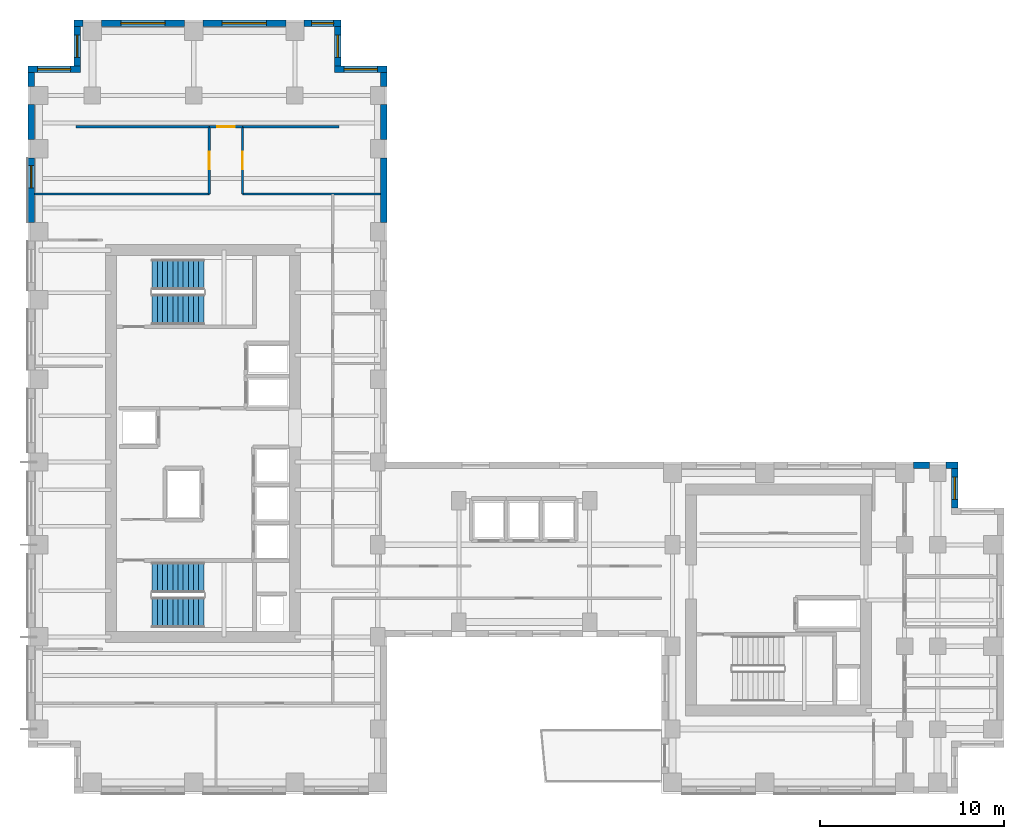
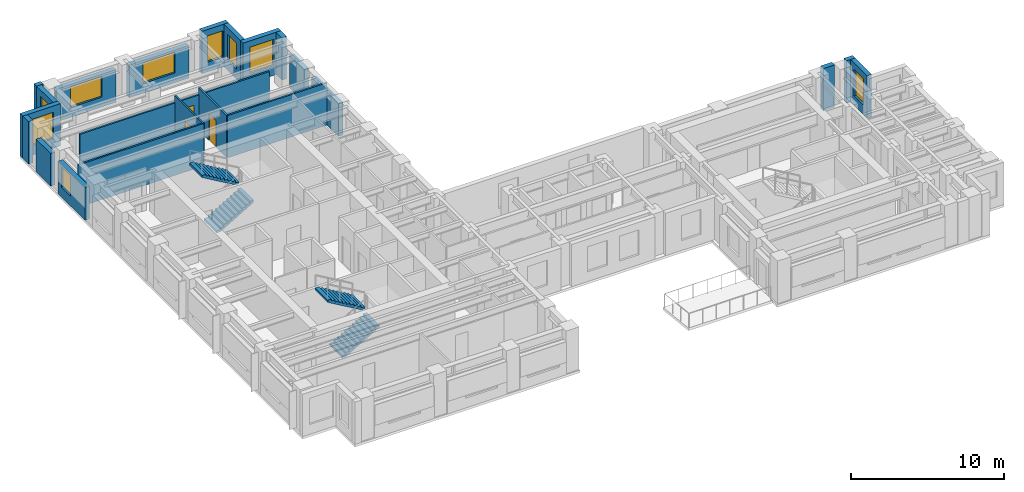
# One storey, part 8 of 12: 24 walls, 9 windows, 4 stair flights, 3 doors, 12 openings, 2 elements without a shape of their own.
"""IFC4 building model written with IfcOpenShell, lengths in metres."""

from ifc_helpers import new_model, si_unit, direction, frame, frame_2d, origin, place, context, subcontext, project, spatial, polyline, rectangle, outline, extrude, source, transform, mapped, material, layer, layer_set, type_object, element, fill, aggregate, save


model = new_model("IFC4")

# Units and contexts
model_context = context("Model", 3, precision=1e-05, world=origin(), true_north=direction((0.0, 1.0)))
body_context = subcontext(model_context, "Body", "Model", "MODEL_VIEW")
ifc_project = project(units=[si_unit("LENGTHUNIT", "METRE"), si_unit("AREAUNIT", "SQUARE_METRE"), si_unit("VOLUMEUNIT", "CUBIC_METRE"), si_unit("PLANEANGLEUNIT", "RADIAN"), si_unit("MASSUNIT", "GRAM", prefix="KILO")], contexts=[model_context])

# Site, building, storey
site_placement = place(None, origin())
site = spatial("IfcSite", under=ifc_project, at=site_placement, CompositionType="ELEMENT")
building_placement = place(site_placement, origin())
building = spatial("IfcBuilding", under=site, at=building_placement, Name="Kharzan Plaza Tower", CompositionType="ELEMENT")
storey_placement = place(building_placement, frame((0.0, 0.0, 179.10009765625)))
storey = spatial("IfcBuildingStorey", under=building, at=storey_placement, Name="L48", CompositionType="ELEMENT", Elevation=179.10009765625)

# Wall, opening, window
ifc_material_1 = material(Name="Concrete C40/50", Category="concrete")
ifc_layer_1 = layer(ifc_material_1, 0.35009765625)
ifc_layer_set_1 = layer_set([ifc_layer_1], Name="Concrete C40/50")
wall_type_1 = type_object("IfcWallType", Name="WL-EXT-MAS-Z3", PredefinedType="SOLIDWALL", material=ifc_layer_set_1)
wall_1_placement = place(storey_placement, frame((19.5, 39.324951171875, 0.0), z_axis=(0.0, 0.0, 1.0), x_axis=(-1.0, 0.0, 0.0)))
wall_1 = element("IfcWall", 1, at=wall_1_placement, inside=storey, type_object=wall_type_1, Name="L48 Masonry-Frame Exterior Wall 01", PredefinedType="SOLIDWALL", context=body_context, shape_type="SweptSolid", body=[
    extrude(rectangle(XDim=2.85009765625, YDim=0.35009765625, at=frame_2d((1.425048828125, 0.0))), origin(), (0.0, 0.0, 1.0), 3.385009765625),
])
opening_1_placement = place(wall_1_placement, frame((0.52490234375, 0.0, 0.780029296875)))
opening_1 = element("IfcOpeningElement", 2, at=opening_1_placement, cuts=wall_1, Name="Opening W1", PredefinedType="OPENING", context=body_context, shape_type="SweptSolid", body=[
    extrude(rectangle(XDim=1.800048828125, YDim=2.10009765625, at=frame_2d((0.89990234375, 1.050048828125))), frame((0.0, 0.18505859375, 0.0), z_axis=(0.0, -1.0, 0.0), x_axis=(1.0, 0.0, 0.0)), (0.0, 0.0, 1.0), 0.3701171875),
])
ifc_material_2 = material(Name="Low-E Double Glazing", Category="glass")
window_type_1 = type_object("IfcWindowType", Name="WN-REC-1800x2100", PartitioningType="SINGLE_PANEL", PredefinedType="WINDOW", material=ifc_material_2)
shared_shape_1 = source(origin(), body_context, "Body", "SweptSolid", [
    extrude(rectangle(XDim=1.800048828125, YDim=2.10009765625, at=frame_2d((0.89990234375, 1.050048828125))), frame((0.0, 0.030029296875, 0.0), z_axis=(0.0, -1.0, 0.0), x_axis=(1.0, 0.0, 0.0)), (0.0, 0.0, 1.0), 0.06005859375),
])
window_1_placement = place(opening_1_placement, origin())
window_1 = element("IfcWindow", 3, at=window_1_placement, inside=storey, type_object=window_type_1, Name="L48 Recessed Solar-Control Window 01-1", OverallHeight=2.10009765625, OverallWidth=1.800048828125, PartitioningType="SINGLE_PANEL", PredefinedType="WINDOW", context=body_context, shape_type="MappedRepresentation", body=[
    mapped(shared_shape_1, transform((0.0, 0.0, 0.0), x_axis=(1.0, 0.0, 0.0), y_axis=(0.0, 1.0, 0.0), z_axis=(0.0, 0.0, 1.0))),
])
fill(opening_1, window_1)

wall_2_placement = place(storey_placement, frame((16.824951171875, 39.498046875, 0.0), z_axis=(0.0, 0.0, 1.0), x_axis=(0.0, 1.0, 0.0)))
wall_2 = element("IfcWall", 4, at=wall_2_placement, inside=storey, type_object=wall_type_1, Name="L48 Masonry-Frame Exterior Wall 02", PredefinedType="SOLIDWALL", context=body_context, shape_type="SweptSolid", body=[
    extrude(rectangle(XDim=2.154052734375, YDim=0.35009765625, at=frame_2d((1.0771484375, 0.0))), origin(), (0.0, 0.0, 1.0), 3.385009765625),
])
opening_2_placement = place(wall_2_placement, frame((0.47705078125, 0.0, 0.780029296875)))
opening_2 = element("IfcOpeningElement", 5, at=opening_2_placement, cuts=wall_2, Name="Opening W3", PredefinedType="OPENING", context=body_context, shape_type="SweptSolid", body=[
    extrude(rectangle(XDim=1.199951171875, YDim=2.10009765625, at=frame_2d((0.60009765625, 1.050048828125))), frame((0.0, 0.18505859375, 0.0), z_axis=(0.0, -1.0, 0.0), x_axis=(1.0, 0.0, 0.0)), (0.0, 0.0, 1.0), 0.3701171875),
])
window_type_2 = type_object("IfcWindowType", Name="WN-REC-1200x2100", PartitioningType="SINGLE_PANEL", PredefinedType="WINDOW", material=ifc_material_2)
shared_shape_2 = source(origin(), body_context, "Body", "SweptSolid", [
    extrude(rectangle(XDim=1.199951171875, YDim=2.10009765625, at=frame_2d((0.60009765625, 1.050048828125))), frame((0.0, 0.030029296875, 0.0), z_axis=(0.0, -1.0, 0.0), x_axis=(1.0, 0.0, 0.0)), (0.0, 0.0, 1.0), 0.06005859375),
])
window_2_placement = place(opening_2_placement, origin())
window_2 = element("IfcWindow", 6, at=window_2_placement, inside=storey, type_object=window_type_2, Name="L48 Recessed Solar-Control Window 02-1", OverallHeight=2.10009765625, OverallWidth=1.199951171875, PartitioningType="SINGLE_PANEL", PredefinedType="WINDOW", context=body_context, shape_type="MappedRepresentation", body=[
    mapped(shared_shape_2, transform((0.0, 0.0, 0.0), x_axis=(1.0, 0.0, 0.0), y_axis=(0.0, 1.0, 0.0), z_axis=(0.0, 0.0, 1.0))),
])
fill(opening_2, window_2)

wall_3_placement = place(storey_placement, frame((17.0, 41.824951171875, 0.0), z_axis=(0.0, 0.0, 1.0), x_axis=(-1.0, 0.0, 0.0)))
wall_3 = element("IfcWall", 7, at=wall_3_placement, inside=storey, type_object=wall_type_1, Name="L48 Masonry-Frame Exterior Wall 03", PredefinedType="SOLIDWALL", context=body_context, shape_type="SweptSolid", body=[
    extrude(rectangle(XDim=2.001953125, YDim=0.35009765625, at=frame_2d((1.0009765625, 0.0))), origin(), (0.0, 0.0, 1.0), 3.385009765625),
])
opening_3_placement = place(wall_3_placement, frame((0.40087890625, 0.0, 0.780029296875)))
opening_3 = element("IfcOpeningElement", 8, at=opening_3_placement, cuts=wall_3, Name="Opening W3", PredefinedType="OPENING", context=body_context, shape_type="SweptSolid", body=[
    extrude(rectangle(XDim=1.199951171875, YDim=2.10009765625, at=frame_2d((0.60009765625, 1.050048828125))), frame((0.0, 0.18505859375, 0.0), z_axis=(0.0, -1.0, 0.0), x_axis=(1.0, 0.0, 0.0)), (0.0, 0.0, 1.0), 0.3701171875),
])
window_3_placement = place(opening_3_placement, origin())
window_3 = element("IfcWindow", 9, at=window_3_placement, inside=storey, type_object=window_type_2, Name="L48 Recessed Solar-Control Window 03-1", OverallHeight=2.10009765625, OverallWidth=1.199951171875, PartitioningType="SINGLE_PANEL", PredefinedType="WINDOW", context=body_context, shape_type="MappedRepresentation", body=[
    mapped(shared_shape_2, transform((0.0, 0.0, 0.0), x_axis=(1.0, 0.0, 0.0), y_axis=(0.0, 1.0, 0.0), z_axis=(0.0, 0.0, 1.0))),
])
fill(opening_3, window_3)

wall_4_placement = place(storey_placement, frame((14.001953125, 41.824951171875, 0.0), z_axis=(0.0, 0.0, 1.0), x_axis=(-1.0, 0.0, 0.0)))
wall_4 = element("IfcWall", 10, at=wall_4_placement, inside=storey, type_object=wall_type_1, Name="L48 Masonry-Frame Exterior Wall 04", PredefinedType="SOLIDWALL", context=body_context, shape_type="SweptSolid", body=[
    extrude(rectangle(XDim=4.50390625, YDim=0.35009765625, at=frame_2d((2.251953125, 0.0))), origin(), (0.0, 0.0, 1.0), 2.61181640625),
])
opening_4_placement = place(wall_4_placement, frame((1.052001953125, 0.0, 0.780029296875)))
opening_4 = element("IfcOpeningElement", 11, at=opening_4_placement, cuts=wall_4, Name="Opening W2", PredefinedType="OPENING", context=body_context, shape_type="SweptSolid", body=[
    extrude(rectangle(XDim=2.39990234375, YDim=1.652099609375, at=frame_2d((1.199951171875, 0.826171875))), frame((0.0, 0.18505859375, 0.0), z_axis=(0.0, -1.0, 0.0), x_axis=(1.0, 0.0, 0.0)), (0.0, 0.0, 1.0), 0.3701171875),
])
window_type_3 = type_object("IfcWindowType", Name="WN-REC-2400x2100", PartitioningType="SINGLE_PANEL", PredefinedType="WINDOW", material=ifc_material_2)
shared_shape_3 = source(origin(), body_context, "Body", "SweptSolid", [
    extrude(rectangle(XDim=2.39990234375, YDim=1.652099609375, at=frame_2d((1.199951171875, 0.826171875))), frame((0.0, 0.030029296875, 0.0), z_axis=(0.0, -1.0, 0.0), x_axis=(1.0, 0.0, 0.0)), (0.0, 0.0, 1.0), 0.06005859375),
])
window_4_placement = place(opening_4_placement, origin())
window_4 = element("IfcWindow", 12, at=window_4_placement, inside=storey, type_object=window_type_3, Name="L48 Wide Recessed Solar-Control Window 04-1", OverallHeight=1.652099609375, OverallWidth=2.39990234375, PartitioningType="SINGLE_PANEL", PredefinedType="WINDOW", context=body_context, shape_type="MappedRepresentation", body=[
    mapped(shared_shape_3, transform((0.0, 0.0, 0.0), x_axis=(1.0, 0.0, 0.0), y_axis=(0.0, 1.0, 0.0), z_axis=(0.0, 0.0, 1.0))),
])
fill(opening_4, window_4)

wall_5_placement = place(storey_placement, frame((8.501953125, 41.824951171875, 0.0), z_axis=(0.0, 0.0, 1.0), x_axis=(-1.0, 0.0, 0.0)))
wall_5 = element("IfcWall", 13, at=wall_5_placement, inside=storey, type_object=wall_type_1, Name="L48 Masonry-Frame Exterior Wall 05", PredefinedType="SOLIDWALL", context=body_context, shape_type="SweptSolid", body=[
    extrude(rectangle(XDim=4.50390625, YDim=0.35009765625, at=frame_2d((2.251953125, 0.0))), origin(), (0.0, 0.0, 1.0), 2.61181640625),
])
opening_5_placement = place(wall_5_placement, frame((1.052001953125, 0.0, 0.780029296875)))
opening_5 = element("IfcOpeningElement", 14, at=opening_5_placement, cuts=wall_5, Name="Opening W2", PredefinedType="OPENING", context=body_context, shape_type="SweptSolid", body=[
    extrude(rectangle(XDim=2.39990234375, YDim=1.652099609375, at=frame_2d((1.199951171875, 0.826171875))), frame((0.0, 0.18505859375, 0.0), z_axis=(0.0, -1.0, 0.0), x_axis=(1.0, 0.0, 0.0)), (0.0, 0.0, 1.0), 0.3701171875),
])
window_5_placement = place(opening_5_placement, origin())
window_5 = element("IfcWindow", 15, at=window_5_placement, inside=storey, type_object=window_type_3, Name="L48 Wide Recessed Solar-Control Window 05-1", OverallHeight=1.652099609375, OverallWidth=2.39990234375, PartitioningType="SINGLE_PANEL", PredefinedType="WINDOW", context=body_context, shape_type="MappedRepresentation", body=[
    mapped(shared_shape_3, transform((0.0, 0.0, 0.0), x_axis=(1.0, 0.0, 0.0), y_axis=(0.0, 1.0, 0.0), z_axis=(0.0, 0.0, 1.0))),
])
fill(opening_5, window_5)

wall_6_placement = place(storey_placement, frame((2.675048828125, 41.652099609375, 0.0), z_axis=(0.0, 0.0, 1.0), x_axis=(0.0, -1.0, 0.0)))
wall_6 = element("IfcWall", 16, at=wall_6_placement, inside=storey, type_object=wall_type_1, Name="L48 Masonry-Frame Exterior Wall 07", PredefinedType="SOLIDWALL", context=body_context, shape_type="SweptSolid", body=[
    extrude(rectangle(XDim=2.154052734375, YDim=0.35009765625, at=frame_2d((1.0771484375, 0.0))), origin(), (0.0, 0.0, 1.0), 3.385009765625),
])
opening_6_placement = place(wall_6_placement, frame((0.47705078125, 0.0, 0.780029296875)))
opening_6 = element("IfcOpeningElement", 17, at=opening_6_placement, cuts=wall_6, Name="Opening W3", PredefinedType="OPENING", context=body_context, shape_type="SweptSolid", body=[
    extrude(rectangle(XDim=1.199951171875, YDim=2.10009765625, at=frame_2d((0.60009765625, 1.050048828125))), frame((0.0, 0.18505859375, 0.0), z_axis=(0.0, -1.0, 0.0), x_axis=(1.0, 0.0, 0.0)), (0.0, 0.0, 1.0), 0.3701171875),
])
window_6_placement = place(opening_6_placement, origin())
window_6 = element("IfcWindow", 18, at=window_6_placement, inside=storey, type_object=window_type_2, Name="L48 Recessed Solar-Control Window 07-1", OverallHeight=2.10009765625, OverallWidth=1.199951171875, PartitioningType="SINGLE_PANEL", PredefinedType="WINDOW", context=body_context, shape_type="MappedRepresentation", body=[
    mapped(shared_shape_2, transform((0.0, 0.0, 0.0), x_axis=(1.0, 0.0, 0.0), y_axis=(0.0, 1.0, 0.0), z_axis=(0.0, 0.0, 1.0))),
])
fill(opening_6, window_6)

wall_7_placement = place(storey_placement, frame((2.85009765625, 39.324951171875, 0.0), z_axis=(0.0, 0.0, 1.0), x_axis=(-1.0, 0.0, 0.0)))
wall_7 = element("IfcWall", 19, at=wall_7_placement, inside=storey, type_object=wall_type_1, Name="L48 Masonry-Frame Exterior Wall 08", PredefinedType="SOLIDWALL", context=body_context, shape_type="SweptSolid", body=[
    extrude(rectangle(XDim=2.85009765625, YDim=0.35009765625, at=frame_2d((1.425048828125, 0.0))), origin(), (0.0, 0.0, 1.0), 3.385009765625),
])
opening_7_placement = place(wall_7_placement, frame((0.52490234375, 0.0, 0.780029296875)))
opening_7 = element("IfcOpeningElement", 20, at=opening_7_placement, cuts=wall_7, Name="Opening W1", PredefinedType="OPENING", context=body_context, shape_type="SweptSolid", body=[
    extrude(rectangle(XDim=1.800048828125, YDim=2.10009765625, at=frame_2d((0.89990234375, 1.050048828125))), frame((0.0, 0.18505859375, 0.0), z_axis=(0.0, -1.0, 0.0), x_axis=(1.0, 0.0, 0.0)), (0.0, 0.0, 1.0), 0.3701171875),
])
window_7_placement = place(opening_7_placement, origin())
window_7 = element("IfcWindow", 21, at=window_7_placement, inside=storey, type_object=window_type_1, Name="L48 Recessed Solar-Control Window 08-1", OverallHeight=2.10009765625, OverallWidth=1.800048828125, PartitioningType="SINGLE_PANEL", PredefinedType="WINDOW", context=body_context, shape_type="MappedRepresentation", body=[
    mapped(shared_shape_1, transform((0.0, 0.0, 0.0), x_axis=(1.0, 0.0, 0.0), y_axis=(0.0, 1.0, 0.0), z_axis=(0.0, 0.0, 1.0))),
])
fill(opening_7, window_7)

wall_8_placement = place(storey_placement, frame((0.175048828125, 34.501953125, 0.0), z_axis=(0.0, 0.0, 1.0), x_axis=(0.0, -1.0, 0.0)))
wall_8 = element("IfcWall", 22, at=wall_8_placement, inside=storey, type_object=wall_type_1, Name="L48 Masonry-Frame Exterior Wall 11", PredefinedType="SOLIDWALL", context=body_context, shape_type="SweptSolid", body=[
    extrude(rectangle(XDim=3.50390625, YDim=0.35009765625, at=frame_2d((1.751953125, 0.0))), origin(), (0.0, 0.0, 1.0), 2.61181640625),
])
opening_8_placement = place(wall_8_placement, frame((0.410888671875, 0.0, 0.780029296875)))
opening_8 = element("IfcOpeningElement", 23, at=opening_8_placement, cuts=wall_8, Name="Opening W3", PredefinedType="OPENING", context=body_context, shape_type="SweptSolid", body=[
    extrude(rectangle(XDim=1.199951171875, YDim=1.652099609375, at=frame_2d((0.60009765625, 0.826171875))), frame((0.0, 0.18505859375, 0.0), z_axis=(0.0, -1.0, 0.0), x_axis=(1.0, 0.0, 0.0)), (0.0, 0.0, 1.0), 0.3701171875),
])
shared_shape_4 = source(origin(), body_context, "Body", "SweptSolid", [
    extrude(rectangle(XDim=1.199951171875, YDim=1.652099609375, at=frame_2d((0.60009765625, 0.826171875))), frame((0.0, 0.030029296875, 0.0), z_axis=(0.0, -1.0, 0.0), x_axis=(1.0, 0.0, 0.0)), (0.0, 0.0, 1.0), 0.06005859375),
])
window_8_placement = place(opening_8_placement, origin())
window_8 = element("IfcWindow", 24, at=window_8_placement, inside=storey, type_object=window_type_2, Name="L48 Recessed Solar-Control Window 11-1", OverallHeight=1.652099609375, OverallWidth=1.199951171875, PartitioningType="SINGLE_PANEL", PredefinedType="WINDOW", context=body_context, shape_type="MappedRepresentation", body=[
    mapped(shared_shape_4, transform((0.0, 0.0, 0.0), x_axis=(1.0, 0.0, 0.0), y_axis=(0.0, 1.0, 0.0), z_axis=(0.0, 0.0, 1.0))),
])
fill(opening_8, window_8)

wall_9_placement = place(storey_placement, frame((50.324951171875, 15.498046875, 0.0), z_axis=(0.0, 0.0, 1.0), x_axis=(0.0, 1.0, 0.0)))
wall_9 = element("IfcWall", 25, at=wall_9_placement, inside=storey, type_object=wall_type_1, Name="L48 Masonry-Frame Exterior Wall 41", PredefinedType="SOLIDWALL", context=body_context, shape_type="SweptSolid", body=[
    extrude(rectangle(XDim=2.154052734375, YDim=0.35009765625, at=frame_2d((1.0771484375, 0.0))), origin(), (0.0, 0.0, 1.0), 3.385009765625),
])
opening_9_placement = place(wall_9_placement, frame((0.47705078125, 0.0, 0.780029296875)))
opening_9 = element("IfcOpeningElement", 26, at=opening_9_placement, cuts=wall_9, Name="Opening W3", PredefinedType="OPENING", context=body_context, shape_type="SweptSolid", body=[
    extrude(rectangle(XDim=1.199951171875, YDim=2.10009765625, at=frame_2d((0.60009765625, 1.050048828125))), frame((0.0, 0.18505859375, 0.0), z_axis=(0.0, -1.0, 0.0), x_axis=(1.0, 0.0, 0.0)), (0.0, 0.0, 1.0), 0.3701171875),
])
window_9_placement = place(opening_9_placement, origin())
window_9 = element("IfcWindow", 27, at=window_9_placement, inside=storey, type_object=window_type_2, Name="L48 Recessed Solar-Control Window 41-1", OverallHeight=2.10009765625, OverallWidth=1.199951171875, PartitioningType="SINGLE_PANEL", PredefinedType="WINDOW", context=body_context, shape_type="MappedRepresentation", body=[
    mapped(shared_shape_2, transform((0.0, 0.0, 0.0), x_axis=(1.0, 0.0, 0.0), y_axis=(0.0, 1.0, 0.0), z_axis=(0.0, 0.0, 1.0))),
])
fill(opening_9, window_9)

# Wall, opening, door
ifc_material_3 = material(Name="Fire-Rated Gypsum Board Partition", Category="gypsum")
ifc_layer_2 = layer(ifc_material_3, 0.125)
ifc_layer_set_2 = layer_set([ifc_layer_2], Name="Fire-Rated Gypsum Board Partition")
wall_type_2 = type_object("IfcWallType", Name="WL-INT-PART-125", PredefinedType="PARTITIONING", material=ifc_layer_set_2)
wall_10_placement = place(storey_placement, frame((11.64990234375, 32.550048828125, 0.0), z_axis=(0.0, 0.0, 1.0), x_axis=(0.0, 1.0, 0.0)))
wall_10 = element("IfcWall", 28, at=wall_10_placement, inside=storey, type_object=wall_type_2, Name="L48 Interior Partition SH-SPE-1", PredefinedType="PARTITIONING", context=body_context, shape_type="SweptSolid", body=[
    extrude(rectangle(XDim=3.64990234375, YDim=0.125, at=frame_2d((1.824951171875, 0.0))), origin(), (0.0, 0.0, 1.0), 3.385009765625),
])
opening_10_placement = place(wall_10_placement, frame((1.35009765625, 0.0, 0.0)))
opening_10 = element("IfcOpeningElement", 29, at=opening_10_placement, cuts=wall_10, Name="Opening OD1", PredefinedType="OPENING", context=body_context, shape_type="SweptSolid", body=[
    extrude(rectangle(XDim=0.949951171875, YDim=2.14990234375, at=frame_2d((0.47509765625, 1.074951171875))), frame((0.0, 0.072509765625, 0.0), z_axis=(0.0, -1.0, 0.0), x_axis=(1.0, 0.0, 0.0)), (0.0, 0.0, 1.0), 0.14501953125),
])
ifc_material_4 = material(Name="Acoustic Solid-Core Stained Oak", Category="timber")
door_type = type_object("IfcDoorType", Name="DR-OFF-SINGLE", OperationType="NOTDEFINED", PredefinedType="DOOR", material=ifc_material_4)
shared_shape_5 = source(origin(), body_context, "Body", "SweptSolid", [
    extrude(rectangle(XDim=0.949951171875, YDim=2.14990234375, at=frame_2d((0.47509765625, 1.074951171875))), frame((0.0, 0.02490234375, 0.0), z_axis=(0.0, -1.0, 0.0), x_axis=(1.0, 0.0, 0.0)), (0.0, 0.0, 1.0), 0.050048828125),
])
door_1_placement = place(opening_10_placement, origin())
door_1 = element("IfcDoor", 30, at=door_1_placement, inside=storey, type_object=door_type, Name="L48 Strategy Briefing Room Door", OperationType="SINGLE_SWING_LEFT", OverallHeight=2.14990234375, OverallWidth=0.949951171875, PredefinedType="DOOR", context=body_context, shape_type="MappedRepresentation", body=[
    mapped(shared_shape_5, transform((0.0, 0.0, 0.0), x_axis=(1.0, 0.0, 0.0), y_axis=(0.0, 1.0, 0.0), z_axis=(0.0, 0.0, 1.0))),
])
fill(opening_10, door_1)

wall_11_placement = place(storey_placement, frame((9.85009765625, 36.199951171875, 0.0), z_axis=(0.0, 0.0, 1.0), x_axis=(1.0, 0.0, 0.0)))
wall_11 = element("IfcWall", 31, at=wall_11_placement, inside=storey, type_object=wall_type_2, Name="L48 Interior Partition SH-SPHD", PredefinedType="PARTITIONING", context=body_context, shape_type="SweptSolid", body=[
    extrude(rectangle(XDim=1.7998046875, YDim=0.125, at=frame_2d((0.89990234375, 0.0))), origin(), (0.0, 0.0, 1.0), 2.847900390625),
])
opening_11_placement = place(wall_11_placement, frame((0.425048828125, 0.0, 0.0)))
opening_11 = element("IfcOpeningElement", 32, at=opening_11_placement, cuts=wall_11, Name="Opening OD1", PredefinedType="OPENING", context=body_context, shape_type="SweptSolid", body=[
    extrude(rectangle(XDim=0.949951171875, YDim=2.14990234375, at=frame_2d((0.47509765625, 1.074951171875))), frame((0.0, 0.072509765625, 0.0), z_axis=(0.0, -1.0, 0.0), x_axis=(1.0, 0.0, 0.0)), (0.0, 0.0, 1.0), 0.14501953125),
])
door_2_placement = place(opening_11_placement, origin())
door_2 = element("IfcDoor", 33, at=door_2_placement, inside=storey, type_object=door_type, Name="L48 North Boardroom Door", OperationType="SINGLE_SWING_RIGHT", OverallHeight=2.14990234375, OverallWidth=0.949951171875, PredefinedType="DOOR", context=body_context, shape_type="MappedRepresentation", body=[
    mapped(shared_shape_5, transform((0.0, 0.0, 0.0), x_axis=(1.0, 0.0, 0.0), y_axis=(0.0, 1.0, 0.0), z_axis=(0.0, 0.0, 1.0))),
])
fill(opening_11, door_2)

wall_12_placement = place(storey_placement, frame((9.85009765625, 32.550048828125, 0.0), z_axis=(0.0, 0.0, 1.0), x_axis=(0.0, 1.0, 0.0)))
wall_12 = element("IfcWall", 34, at=wall_12_placement, inside=storey, type_object=wall_type_2, Name="L48 Interior Partition SH-SPW-1", PredefinedType="PARTITIONING", context=body_context, shape_type="SweptSolid", body=[
    extrude(rectangle(XDim=3.64990234375, YDim=0.125, at=frame_2d((1.824951171875, 0.0))), origin(), (0.0, 0.0, 1.0), 3.385009765625),
])
opening_12_placement = place(wall_12_placement, frame((1.35009765625, 0.0, 0.0)))
opening_12 = element("IfcOpeningElement", 35, at=opening_12_placement, cuts=wall_12, Name="Opening OD1", PredefinedType="OPENING", context=body_context, shape_type="SweptSolid", body=[
    extrude(rectangle(XDim=0.949951171875, YDim=2.14990234375, at=frame_2d((0.47509765625, 1.074951171875))), frame((0.0, 0.072509765625, 0.0), z_axis=(0.0, -1.0, 0.0), x_axis=(1.0, 0.0, 0.0)), (0.0, 0.0, 1.0), 0.14501953125),
])
door_3_placement = place(opening_12_placement, origin())
door_3 = element("IfcDoor", 36, at=door_3_placement, inside=storey, type_object=door_type, Name="L48 Corporate Secretariat Office Door", OperationType="SINGLE_SWING_RIGHT", OverallHeight=2.14990234375, OverallWidth=0.949951171875, PredefinedType="DOOR", context=body_context, shape_type="MappedRepresentation", body=[
    mapped(shared_shape_5, transform((0.0, 0.0, 0.0), x_axis=(1.0, 0.0, 0.0), y_axis=(0.0, 1.0, 0.0), z_axis=(0.0, 0.0, 1.0))),
])
fill(opening_12, door_3)

# Walls
shared_shape_6 = source(origin(), body_context, "Body", "SweptSolid", [
    extrude(rectangle(XDim=0.501953125, YDim=0.35009765625, at=frame_2d((0.2509765625, 0.0))), origin(), (0.0, 0.0, 1.0), 3.385009765625),
])
wall_13_placement = place(storey_placement, frame((3.001953125, 41.824951171875, 0.0), z_axis=(0.0, 0.0, 1.0), x_axis=(-1.0, 0.0, 0.0)))
element("IfcWall", 37, at=wall_13_placement, inside=storey, type_object=wall_type_1, Name="L48 Masonry-Frame Exterior Wall 06", PredefinedType="SOLIDWALL", context=body_context, shape_type="MappedRepresentation", body=[
    mapped(shared_shape_6, transform((0.0, 0.0, 0.0), x_axis=(1.0, 0.0, 0.0), y_axis=(0.0, 1.0, 0.0), z_axis=(0.0, 0.0, 1.0))),
])
shared_shape_7 = source(origin(), body_context, "Body", "SweptSolid", [
    extrude(rectangle(XDim=0.754150390625, YDim=0.35009765625, at=frame_2d((0.376953125, 0.0))), origin(), (0.0, 0.0, 1.0), 3.385009765625),
])
for number, where, z_axis, x_axis, name in (
    (38, (0.175048828125, 39.152099609375, 0.0), (0.0, 0.0, 1.0), (0.0, -1.0, 0.0), "L48 Masonry-Frame Exterior Wall 09"),
    (39, (19.324951171875, 38.39794921875, 0.0), (0.0, 0.0, 1.0), (0.0, 1.0, 0.0), "L48 Masonry-Frame Exterior Wall 52"),
):
    element("IfcWall", number, at=place(storey_placement, frame(where, z_axis=z_axis, x_axis=x_axis)), inside=storey, type_object=wall_type_1, Name=name, PredefinedType="SOLIDWALL", context=body_context, shape_type="MappedRepresentation", body=[
        mapped(shared_shape_7, transform((0.0, 0.0, 0.0), x_axis=(1.0, 0.0, 0.0), y_axis=(0.0, 1.0, 0.0), z_axis=(0.0, 0.0, 1.0))),
    ])
shared_shape_8 = source(origin(), body_context, "Body", "SweptSolid", [
    extrude(rectangle(XDim=1.904052734375, YDim=0.35009765625, at=frame_2d((0.9521484375, 0.0))), origin(), (0.0, 0.0, 1.0), 2.61181640625),
])
for number, where, z_axis, x_axis, name in (
    (40, (0.175048828125, 37.402099609375, 0.0), (0.0, 0.0, 1.0), (0.0, -1.0, 0.0), "L48 Masonry-Frame Exterior Wall 10"),
    (41, (19.324951171875, 35.498046875, 0.0), (0.0, 0.0, 1.0), (0.0, 1.0, 0.0), "L48 Masonry-Frame Exterior Wall 51"),
):
    element("IfcWall", number, at=place(storey_placement, frame(where, z_axis=z_axis, x_axis=x_axis)), inside=storey, type_object=wall_type_1, Name=name, PredefinedType="SOLIDWALL", context=body_context, shape_type="MappedRepresentation", body=[
        mapped(shared_shape_8, transform((0.0, 0.0, 0.0), x_axis=(1.0, 0.0, 0.0), y_axis=(0.0, 1.0, 0.0), z_axis=(0.0, 0.0, 1.0))),
    ])
shared_shape_9 = source(origin(), body_context, "Body", "SweptSolid", [
    extrude(rectangle(XDim=0.652099609375, YDim=0.35009765625, at=frame_2d((0.326171875, 0.0))), origin(), (0.0, 0.0, 1.0), 3.385009765625),
])
wall_14_placement = place(storey_placement, frame((50.5, 17.824951171875, 0.0), z_axis=(0.0, 0.0, 1.0), x_axis=(-1.0, 0.0, 0.0)))
element("IfcWall", 42, at=wall_14_placement, inside=storey, type_object=wall_type_1, Name="L48 Masonry-Frame Exterior Wall 42", PredefinedType="SOLIDWALL", context=body_context, shape_type="MappedRepresentation", body=[
    mapped(shared_shape_9, transform((0.0, 0.0, 0.0), x_axis=(1.0, 0.0, 0.0), y_axis=(0.0, 1.0, 0.0), z_axis=(0.0, 0.0, 1.0))),
])
shared_shape_10 = source(origin(), body_context, "Body", "SweptSolid", [
    extrude(rectangle(XDim=0.85400390625, YDim=0.35009765625, at=frame_2d((0.427001953125, 0.0))), origin(), (0.0, 0.0, 1.0), 3.385009765625),
])
wall_15_placement = place(storey_placement, frame((48.951904296875, 17.824951171875, 0.0), z_axis=(0.0, 0.0, 1.0), x_axis=(-1.0, 0.0, 0.0)))
element("IfcWall", 43, at=wall_15_placement, inside=storey, type_object=wall_type_1, Name="L48 Masonry-Frame Exterior Wall 43", PredefinedType="SOLIDWALL", context=body_context, shape_type="MappedRepresentation", body=[
    mapped(shared_shape_10, transform((0.0, 0.0, 0.0), x_axis=(1.0, 0.0, 0.0), y_axis=(0.0, 1.0, 0.0), z_axis=(0.0, 0.0, 1.0))),
])
shared_shape_11 = source(origin(), body_context, "Body", "SweptSolid", [
    extrude(rectangle(XDim=3.50390625, YDim=0.35009765625, at=frame_2d((1.751953125, 0.0))), origin(), (0.0, 0.0, 1.0), 2.61181640625),
])
wall_16_placement = place(storey_placement, frame((19.324951171875, 30.998046875, 0.0), z_axis=(0.0, 0.0, 1.0), x_axis=(0.0, 1.0, 0.0)))
element("IfcWall", 44, at=wall_16_placement, inside=storey, type_object=wall_type_1, Name="L48 Masonry-Frame Exterior Wall 50", PredefinedType="SOLIDWALL", context=body_context, shape_type="MappedRepresentation", body=[
    mapped(shared_shape_11, transform((0.0, 0.0, 0.0), x_axis=(1.0, 0.0, 0.0), y_axis=(0.0, 1.0, 0.0), z_axis=(0.0, 0.0, 1.0))),
])
shared_shape_12 = source(origin(), body_context, "Body", "SweptSolid", [
    extrude(rectangle(XDim=7.498046875, YDim=0.125, at=frame_2d((3.7490234375, 0.0))), origin(), (0.0, 0.0, 1.0), 3.385009765625),
])
wall_17_placement = place(storey_placement, frame((11.64990234375, 32.550048828125, 0.0), z_axis=(0.0, 0.0, 1.0), x_axis=(1.0, 0.0, 0.0)))
element("IfcWall", 45, at=wall_17_placement, inside=storey, type_object=wall_type_2, Name="L48 Interior Partition SH-NNE", PredefinedType="PARTITIONING", context=body_context, shape_type="MappedRepresentation", body=[
    mapped(shared_shape_12, transform((0.0, 0.0, 0.0), x_axis=(1.0, 0.0, 0.0), y_axis=(0.0, 1.0, 0.0), z_axis=(0.0, 0.0, 1.0))),
])
shared_shape_13 = source(origin(), body_context, "Body", "SweptSolid", [
    extrude(rectangle(XDim=9.498046875, YDim=0.125, at=frame_2d((4.7490234375, 0.0))), origin(), (0.0, 0.0, 1.0), 3.385009765625),
])
wall_18_placement = place(storey_placement, frame((0.35205078125, 32.550048828125, 0.0), z_axis=(0.0, 0.0, 1.0), x_axis=(1.0, 0.0, 0.0)))
element("IfcWall", 46, at=wall_18_placement, inside=storey, type_object=wall_type_2, Name="L48 Interior Partition SH-NNW", PredefinedType="PARTITIONING", context=body_context, shape_type="MappedRepresentation", body=[
    mapped(shared_shape_13, transform((0.0, 0.0, 0.0), x_axis=(1.0, 0.0, 0.0), y_axis=(0.0, 1.0, 0.0), z_axis=(0.0, 0.0, 1.0))),
])
shared_shape_14 = source(origin(), body_context, "Body", "SweptSolid", [
    extrude(rectangle(XDim=5.25, YDim=0.125, at=frame_2d((2.625, 0.0))), origin(), (0.0, 0.0, 1.0), 2.847900390625),
])
wall_19_placement = place(storey_placement, frame((11.64990234375, 36.199951171875, 0.0), z_axis=(0.0, 0.0, 1.0), x_axis=(1.0, 0.0, 0.0)))
element("IfcWall", 47, at=wall_19_placement, inside=storey, type_object=wall_type_2, Name="L48 Interior Partition SH-SPHE", PredefinedType="PARTITIONING", context=body_context, shape_type="MappedRepresentation", body=[
    mapped(shared_shape_14, transform((0.0, 0.0, 0.0), x_axis=(1.0, 0.0, 0.0), y_axis=(0.0, 1.0, 0.0), z_axis=(0.0, 0.0, 1.0))),
])
shared_shape_15 = source(origin(), body_context, "Body", "SweptSolid", [
    extrude(rectangle(XDim=7.25, YDim=0.125, at=frame_2d((3.625, 0.0))), origin(), (0.0, 0.0, 1.0), 2.847900390625),
])
wall_20_placement = place(storey_placement, frame((2.60009765625, 36.199951171875, 0.0), z_axis=(0.0, 0.0, 1.0), x_axis=(1.0, 0.0, 0.0)))
element("IfcWall", 48, at=wall_20_placement, inside=storey, type_object=wall_type_2, Name="L48 Interior Partition SH-SPHW", PredefinedType="PARTITIONING", context=body_context, shape_type="MappedRepresentation", body=[
    mapped(shared_shape_15, transform((0.0, 0.0, 0.0), x_axis=(1.0, 0.0, 0.0), y_axis=(0.0, 1.0, 0.0), z_axis=(0.0, 0.0, 1.0))),
])

# Stair, stair flights
stair_type_1 = type_object("IfcStairType", Name="STR-ST-1", PredefinedType="HALF_TURN_STAIR", material=ifc_material_1)
stair_1_placement = place(storey_placement, origin())
stair_1 = element("IfcStair", 49, at=stair_1_placement, inside=storey, type_object=stair_type_1, Name="L48 Protected Exit Stair ST-1", PredefinedType="HALF_TURN_STAIR")
stair_flight_type = type_object("IfcStairFlightType", Name="SFL-1650-R173", PredefinedType="STRAIGHT", material=ifc_material_1)
shared_shape_16 = source(origin(), body_context, "Body", "SweptSolid", [
    extrude(outline(polyline([(-0.0029296875, -0.011962890625), (-0.0029296875, 0.0), (0.0, 0.0), (0.0, 0.16357421875), (0.280029296875, 0.16357421875), (0.280029296875, 0.3271484375), (0.56005859375, 0.3271484375), (0.56005859375, 0.49072265625), (0.840087890625, 0.49072265625), (0.840087890625, 0.654296875), (1.1201171875, 0.654296875), (1.1201171875, 0.81787109375), (1.400146484375, 0.81787109375), (1.400146484375, 0.9814453125), (1.68017578125, 0.9814453125), (1.68017578125, 1.14501953125), (1.960205078125, 1.14501953125), (1.960205078125, 1.30859375), (2.240234375, 1.30859375), (2.240234375, 1.47216796875), (2.520263671875, 1.47216796875), (2.520263671875, 1.6357421875), (2.80029296875, 1.6357421875), (2.80029296875, 1.79931640625), (2.80029296875, 1.462158203125), (0.297119140625, 0.0), (0.297119140625, -0.011962890625), (-0.0029296875, -0.011962890625)])), frame((0.0, 0.824951171875, 0.0), z_axis=(0.0, -1.0, 0.0), x_axis=(1.0, 0.0, 0.0)), (0.0, 0.0, 1.0), 1.64990234375),
])
stair_flight_1_placement = place(storey_placement, frame((6.75, 9.824951171875, 0.0), z_axis=(0.0, 0.0, 1.0), x_axis=(1.0, 0.0, 0.0)))
stair_flight_1 = element("IfcStairFlight", 50, at=stair_flight_1_placement, type_object=stair_flight_type, Name="ST-1 flight 1", NumberOfRisers=11, NumberOfTreads=10, PredefinedType="STRAIGHT", RiserHeight=0.163636364, TreadLength=0.28, context=body_context, shape_type="MappedRepresentation", body=[
    mapped(shared_shape_16, transform((0.0, 0.0, 0.0), x_axis=(1.0, 0.0, 0.0), y_axis=(0.0, 1.0, 0.0), z_axis=(0.0, 0.0, 1.0))),
])
stair_flight_2_placement = place(storey_placement, frame((9.550048828125, 11.72509765625, 1.7998046875), z_axis=(0.0, 0.0, 1.0), x_axis=(-1.0, 0.0, 0.0)))
stair_flight_2 = element("IfcStairFlight", 51, at=stair_flight_2_placement, type_object=stair_flight_type, Name="ST-1 flight 2", NumberOfRisers=11, NumberOfTreads=10, PredefinedType="STRAIGHT", RiserHeight=0.163636364, TreadLength=0.28, context=body_context, shape_type="MappedRepresentation", body=[
    mapped(shared_shape_16, transform((0.0, 0.0, 0.0), x_axis=(1.0, 0.0, 0.0), y_axis=(0.0, 1.0, 0.0), z_axis=(0.0, 0.0, 1.0))),
])
aggregate(stair_1, [stair_flight_1, stair_flight_2])

stair_type_2 = type_object("IfcStairType", Name="STR-ST-2", PredefinedType="HALF_TURN_STAIR", material=ifc_material_1)
stair_2_placement = place(storey_placement, origin())
stair_2 = element("IfcStair", 52, at=stair_2_placement, inside=storey, type_object=stair_type_2, Name="L48 Protected Exit Stair ST-2", PredefinedType="HALF_TURN_STAIR")
stair_flight_3_placement = place(storey_placement, frame((6.75, 26.27490234375, 0.0), z_axis=(0.0, 0.0, 1.0), x_axis=(1.0, 0.0, 0.0)))
stair_flight_3 = element("IfcStairFlight", 53, at=stair_flight_3_placement, type_object=stair_flight_type, Name="ST-2 flight 1", NumberOfRisers=11, NumberOfTreads=10, PredefinedType="STRAIGHT", RiserHeight=0.163636364, TreadLength=0.28, context=body_context, shape_type="MappedRepresentation", body=[
    mapped(shared_shape_16, transform((0.0, 0.0, 0.0), x_axis=(1.0, 0.0, 0.0), y_axis=(0.0, 1.0, 0.0), z_axis=(0.0, 0.0, 1.0))),
])
stair_flight_4_placement = place(storey_placement, frame((9.550048828125, 28.175048828125, 1.7998046875), z_axis=(0.0, 0.0, 1.0), x_axis=(-1.0, 0.0, 0.0)))
stair_flight_4 = element("IfcStairFlight", 54, at=stair_flight_4_placement, type_object=stair_flight_type, Name="ST-2 flight 2", NumberOfRisers=11, NumberOfTreads=10, PredefinedType="STRAIGHT", RiserHeight=0.163636364, TreadLength=0.28, context=body_context, shape_type="MappedRepresentation", body=[
    mapped(shared_shape_16, transform((0.0, 0.0, 0.0), x_axis=(1.0, 0.0, 0.0), y_axis=(0.0, 1.0, 0.0), z_axis=(0.0, 0.0, 1.0))),
])
aggregate(stair_2, [stair_flight_3, stair_flight_4])

save(model, "model.ifc")
